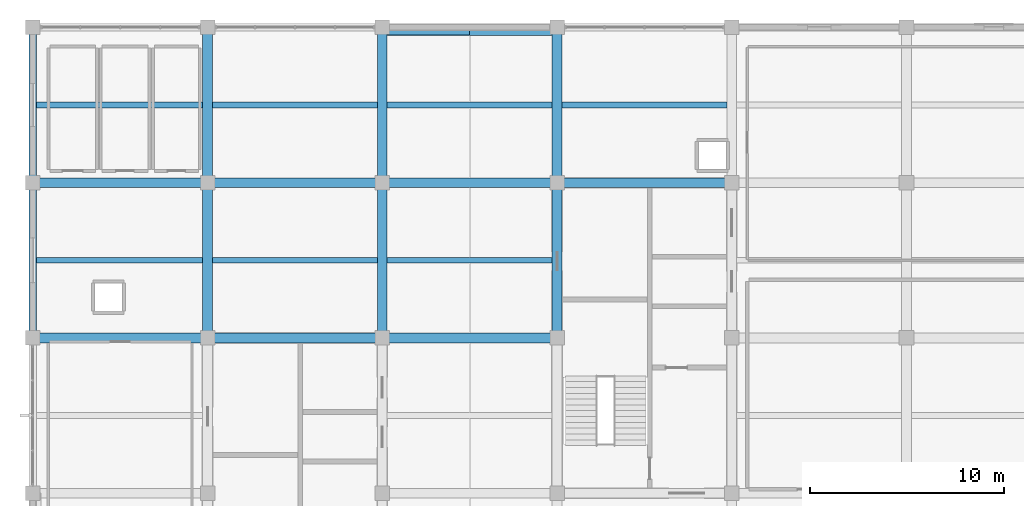
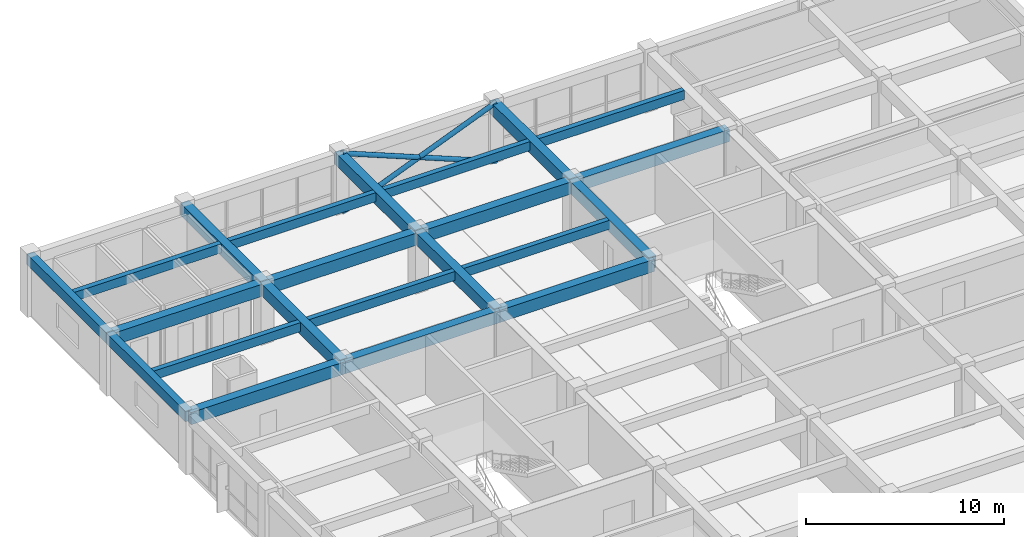
# One storey, part 7 of 15: 22 beams, 2 members.
"""IFC4 building model written with IfcOpenShell, lengths in metres."""

from ifc_helpers import new_model, si_unit, direction, frame, origin, origin_2d, place, context, subcontext, project, spatial, rectangle, hollow_circle, extrude, material, material_profile, profile_set, type_object, element, save


model = new_model("IFC4")

# Units and contexts
model_context = context("Model", 3, precision=1e-05, world=origin(), true_north=direction((0.0, 1.0)))
body_context = subcontext(model_context, "Body", "Model", "MODEL_VIEW")
ifc_project = project(units=[si_unit("LENGTHUNIT", "METRE"), si_unit("AREAUNIT", "SQUARE_METRE"), si_unit("VOLUMEUNIT", "CUBIC_METRE"), si_unit("PLANEANGLEUNIT", "RADIAN"), si_unit("MASSUNIT", "GRAM", prefix="KILO")], contexts=[model_context])

# Site, building, storey
site_placement = place(None, origin())
site = spatial("IfcSite", under=ifc_project, at=site_placement, CompositionType="ELEMENT")
building_placement = place(site_placement, origin())
building = spatial("IfcBuilding", under=site, at=building_placement, Name="Zaverband Oceanarium and Marine Research Institute", CompositionType="ELEMENT")
storey_placement = place(building_placement, frame((0.0, 0.0, 53.10009765625)))
storey = spatial("IfcBuildingStorey", under=building, at=storey_placement, Name="L13", CompositionType="ELEMENT", Elevation=53.10009765625)

# Beams
ifc_material_1 = material(Name="Concrete C40/50", Category="concrete")
ifc_material_profile_1 = material_profile(ifc_material_1, rectangle(XDim=0.5, YDim=0.75, at=origin_2d()), Name="RC500x750")
ifc_profile_set_1 = profile_set([ifc_material_profile_1], Name="Concrete C40/50")
beam_type_1 = type_object("IfcBeamType", Name="BM-500x750", PredefinedType="BEAM", material=ifc_profile_set_1)
for number, where, z_axis, x_axis, name in (
    (1, (9.0, 96.0, 3.27490234375), (1.0, 0.0, 0.0), (0.0, 1.0, 0.0), "Primary floor girder BM-500x750"),
    (2, (18.0, 96.0, 3.27490234375), (1.0, 0.0, 0.0), (0.0, 1.0, 0.0), "Primary floor girder BM-500x750"),
    (3, (27.0, 96.0, 3.27490234375), (1.0, 0.0, 0.0), (0.0, 1.0, 0.0), "Primary floor girder BM-500x750"),
    (4, (9.0, 104.0, 3.27490234375), (1.0, 0.0, 0.0), (0.0, 1.0, 0.0), "Primary floor girder BM-500x750"),
    (5, (18.0, 104.0, 3.27490234375), (1.0, 0.0, 0.0), (0.0, 1.0, 0.0), "Primary floor girder BM-500x750"),
    (6, (27.0, 104.0, 3.27490234375), (1.0, 0.0, 0.0), (0.0, 1.0, 0.0), "Primary floor girder BM-500x750"),
    (7, (36.0, 104.0, 3.27490234375), (1.0, 0.0, 0.0), (0.0, 1.0, 0.0), "Primary floor girder BM-500x750"),
):
    element("IfcBeam", number, at=place(storey_placement, frame(where, z_axis=z_axis, x_axis=x_axis)), inside=storey, type_object=beam_type_1, Name=name, PredefinedType="BEAM", context=body_context, shape_type="SweptSolid", body=[
        extrude(rectangle(XDim=0.5, YDim=0.75, at=origin_2d()), origin(), (0.0, 0.0, 1.0), 9.0),
    ])
for number, where, z_axis, x_axis, name in (
    (8, (18.0, 96.0, 3.27490234375), (0.0, 1.0, 0.0), (-1.0, 0.0, 0.0), "Primary floor girder BM-500x750"),
    (9, (18.0, 104.0, 3.27490234375), (0.0, 1.0, 0.0), (-1.0, 0.0, 0.0), "Primary floor girder BM-500x750"),
    (10, (27.0, 96.0, 3.27490234375), (0.0, 1.0, 0.0), (-1.0, 0.0, 0.0), "Primary floor girder BM-500x750"),
    (11, (27.0, 104.0, 3.27490234375), (0.0, 1.0, 0.0), (-1.0, 0.0, 0.0), "Primary floor girder BM-500x750"),
    (12, (36.0, 96.0, 3.27490234375), (0.0, 1.0, 0.0), (-1.0, 0.0, 0.0), "Primary floor girder BM-500x750"),
    (13, (36.0, 104.0, 3.27490234375), (0.0, 1.0, 0.0), (-1.0, 0.0, 0.0), "Primary floor girder BM-500x750"),
):
    element("IfcBeam", number, at=place(storey_placement, frame(where, z_axis=z_axis, x_axis=x_axis)), inside=storey, type_object=beam_type_1, Name=name, PredefinedType="BEAM", context=body_context, shape_type="SweptSolid", body=[
        extrude(rectangle(XDim=0.5, YDim=0.75, at=origin_2d()), origin(), (0.0, 0.0, 1.0), 8.0),
    ])

# Members
ifc_material_2 = material(Name="Steel S355", Category="steel")
ifc_material_profile_2 = material_profile(ifc_material_2, hollow_circle(Radius=0.136474609375, WallThickness=0.010009765625, at=origin_2d()), Name="CHS273x10")
ifc_profile_set_2 = profile_set([ifc_material_profile_2], Name="Steel S355")
member_type = type_object("IfcMemberType", Name="BR-01", PredefinedType="BRACE", material=ifc_profile_set_2)
for number, where, z_axis, x_axis, name in (
    (14, (27.0, 111.719970703125, 0.0), (0.92669431564, 0.0, 0.375815972733), (0.0, 1.0, 0.0), "Diagonal lateral brace BR-01"),
    (15, (36.0, 111.719970703125, 0.0), (-0.92669431564, 0.0, 0.375815972733), (0.0, -1.0, 0.0), "Diagonal lateral brace BR-01"),
):
    element("IfcMember", number, at=place(storey_placement, frame(where, z_axis=z_axis, x_axis=x_axis)), inside=storey, type_object=member_type, Name=name, PredefinedType="BRACE", context=body_context, shape_type="SweptSolid", body=[
        extrude(hollow_circle(Radius=0.136474609375, WallThickness=0.010009765625, at=origin_2d()), origin(), (0.0, 0.0, 1.0), 9.7119140625),
    ])

# Beams
ifc_material_profile_3 = material_profile(ifc_material_1, rectangle(XDim=0.300048828125, YDim=0.550048828125, at=origin_2d()), Name="RC300x550")
ifc_profile_set_3 = profile_set([ifc_material_profile_3], Name="Concrete C40/50")
beam_type_2 = type_object("IfcBeamType", Name="JST-300x550", PredefinedType="JOIST", material=ifc_profile_set_3)
for number, where, z_axis, x_axis, name in (
    (16, (9.199951171875, 100.0, 3.375), (1.0, 0.0, 0.0), (0.0, 1.0, 0.0), "Secondary floor joist JST-300x550"),
    (17, (9.199951171875, 108.0, 3.375), (1.0, 0.0, 0.0), (0.0, 1.0, 0.0), "Secondary floor joist JST-300x550"),
):
    element("IfcBeam", number, at=place(storey_placement, frame(where, z_axis=z_axis, x_axis=x_axis)), inside=storey, type_object=beam_type_2, Name=name, PredefinedType="JOIST", context=body_context, shape_type="SweptSolid", body=[
        extrude(rectangle(XDim=0.300048828125, YDim=0.550048828125, at=origin_2d()), origin(), (0.0, 0.0, 1.0), 8.550048828125),
    ])
for number, where, z_axis, x_axis, name in (
    (18, (18.25, 100.0, 3.375), (1.0, 0.0, 0.0), (0.0, 1.0, 0.0), "Secondary floor joist JST-300x550"),
    (19, (18.25, 108.0, 3.375), (1.0, 0.0, 0.0), (0.0, 1.0, 0.0), "Secondary floor joist JST-300x550"),
    (20, (27.25, 100.0, 3.375), (1.0, 0.0, 0.0), (0.0, 1.0, 0.0), "Secondary floor joist JST-300x550"),
    (21, (27.25, 108.0, 3.375), (1.0, 0.0, 0.0), (0.0, 1.0, 0.0), "Secondary floor joist JST-300x550"),
    (22, (36.25, 108.0, 3.375), (1.0, 0.0, 0.0), (0.0, 1.0, 0.0), "Secondary floor joist JST-300x550"),
):
    element("IfcBeam", number, at=place(storey_placement, frame(where, z_axis=z_axis, x_axis=x_axis)), inside=storey, type_object=beam_type_2, Name=name, PredefinedType="JOIST", context=body_context, shape_type="SweptSolid", body=[
        extrude(rectangle(XDim=0.300048828125, YDim=0.550048828125, at=origin_2d()), origin(), (0.0, 0.0, 1.0), 8.5),
    ])
ifc_material_profile_4 = material_profile(ifc_material_1, rectangle(XDim=0.39990234375, YDim=0.64990234375, at=origin_2d()), Name="RC400x650")
ifc_profile_set_4 = profile_set([ifc_material_profile_4], Name="Concrete C40/50")
beam_type_3 = type_object("IfcBeamType", Name="SPN-400x650", PredefinedType="SPANDREL", material=ifc_profile_set_4)
for number, where, z_axis, x_axis, name in (
    (23, (9.0, 96.0, 3.324951171875), (0.0, 1.0, 0.0), (-1.0, 0.0, 0.0), "Perimeter spandrel beam SPN-400x650"),
    (24, (9.0, 104.0, 3.324951171875), (0.0, 1.0, 0.0), (-1.0, 0.0, 0.0), "Perimeter spandrel beam SPN-400x650"),
):
    element("IfcBeam", number, at=place(storey_placement, frame(where, z_axis=z_axis, x_axis=x_axis)), inside=storey, type_object=beam_type_3, Name=name, PredefinedType="SPANDREL", context=body_context, shape_type="SweptSolid", body=[
        extrude(rectangle(XDim=0.39990234375, YDim=0.64990234375, at=origin_2d()), origin(), (0.0, 0.0, 1.0), 8.0),
    ])

save(model, "model.ifc")
